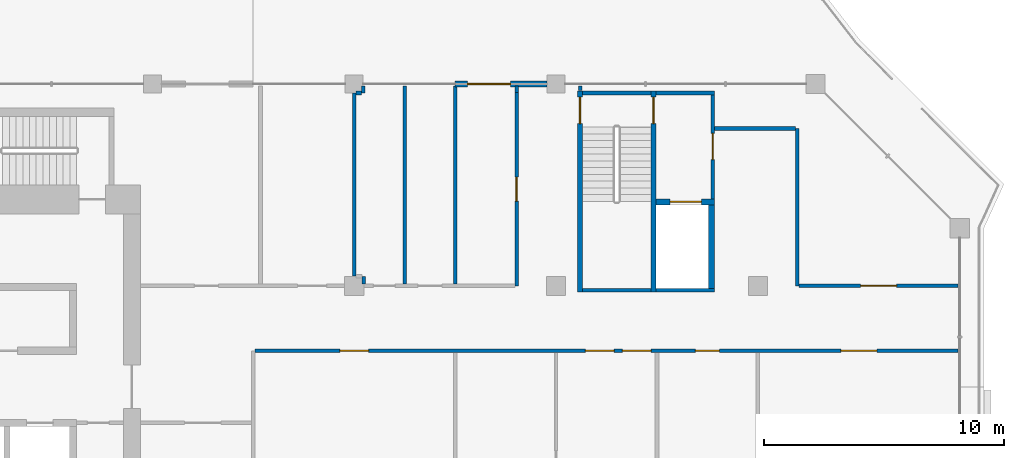
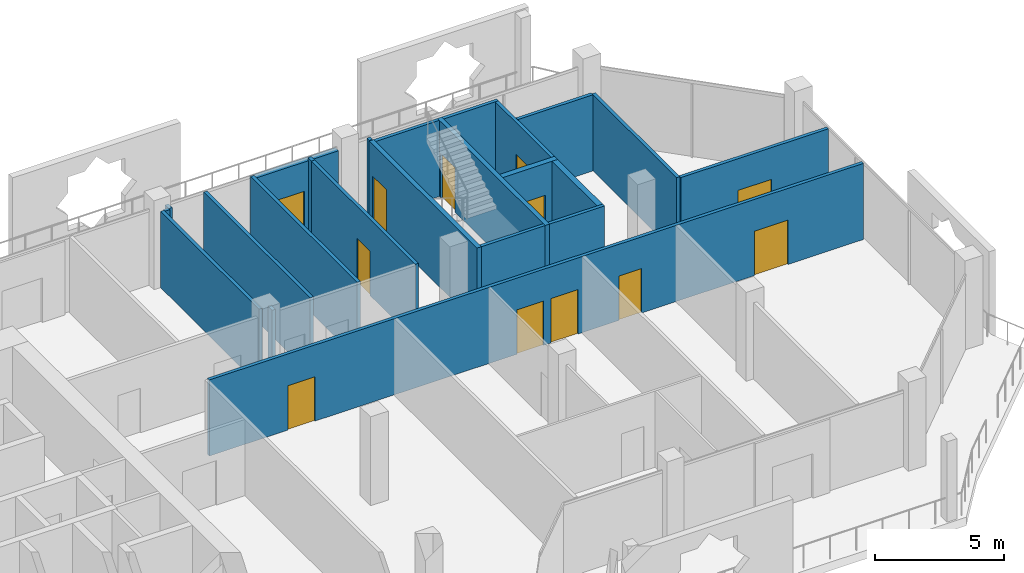
# One storey, part 13 of 20: 23 walls, 12 doors, 12 openings.
"""IFC4 building model written with IfcOpenShell, lengths in metres."""

from ifc_helpers import new_model, si_unit, direction, frame, frame_2d, origin, place, context, subcontext, project, spatial, rectangle, extrude, material, layer, layer_set, type_object, element, fill, save


model = new_model("IFC4")

# Units and contexts
model_context = context("Model", 3, precision=1e-05, world=origin(), true_north=direction((0.0, 1.0)))
body_context = subcontext(model_context, "Body", "Model", "MODEL_VIEW")
ifc_project = project(units=[si_unit("LENGTHUNIT", "METRE"), si_unit("AREAUNIT", "SQUARE_METRE"), si_unit("VOLUMEUNIT", "CUBIC_METRE"), si_unit("PLANEANGLEUNIT", "RADIAN"), si_unit("MASSUNIT", "GRAM", prefix="KILO")], contexts=[model_context])

# Site, building, storey
site_placement = place(None, origin())
site = spatial("IfcSite", under=ifc_project, at=site_placement, CompositionType="ELEMENT")
building_placement = place(site_placement, origin())
building = spatial("IfcBuilding", under=site, at=building_placement, Name="Kawkab Arch Medical Tower", CompositionType="ELEMENT")
storey_placement = place(building_placement, frame((0.0, 0.0, 290.199951171875)))
storey = spatial("IfcBuildingStorey", under=building, at=storey_placement, Name="L67", CompositionType="ELEMENT", Elevation=290.199951171875)

# Wall, opening, door
ifc_material_1 = material(Name="Gypsum board on steel studs", Category="steel")
ifc_layer_1 = layer(ifc_material_1, 0.14990234375)
ifc_layer_set_1 = layer_set([ifc_layer_1], Name="Gypsum board on steel studs")
wall_type_1 = type_object("IfcWallType", Name="Core room partition 150", PredefinedType="PARTITIONING", material=ifc_layer_set_1)
wall_1_placement = place(storey_placement, frame((48.52490234375, -4.77490234375, 0.0), z_axis=(0.0, 0.0, 1.0), x_axis=(0.0, 1.0, 0.0)))
wall_1 = element("IfcWall", 1, at=wall_1_placement, inside=storey, type_object=wall_type_1, Name="L67 core room partition", PredefinedType="PARTITIONING", context=body_context, shape_type="SweptSolid", body=[
    extrude(rectangle(XDim=4.324951171875, YDim=0.14990234375, at=frame_2d((2.16259765625, 0.0))), origin(), (0.0, 0.0, 1.0), 3.60009765625),
])
opening_1_placement = place(wall_1_placement, frame((1.625, 0.0, 0.0)))
opening_1 = element("IfcOpeningElement", 2, at=opening_1_placement, cuts=wall_1, Name="Opening FD", PredefinedType="OPENING", context=body_context, shape_type="SweptSolid", body=[
    extrude(rectangle(XDim=1.10009765625, YDim=2.10009765625, at=frame_2d((0.550048828125, 1.050048828125))), frame((0.0, 0.0849609375, 0.0), z_axis=(0.0, -1.0, 0.0), x_axis=(1.0, 0.0, 0.0)), (0.0, 0.0, 1.0), 0.169921875),
])
ifc_material_2 = material(Name="Hollow metal fire door leaf")
door_type_1 = type_object("IfcDoorType", Name="Firefighting lobby door 1100", OperationType="SINGLE_SWING_LEFT", PredefinedType="DOOR", material=ifc_material_2)
door_1_placement = place(opening_1_placement, origin())
door_1 = element("IfcDoor", 3, at=door_1_placement, inside=storey, type_object=door_type_1, Name="L67 Service lift lobby door SV1", OperationType="SINGLE_SWING_LEFT", OverallHeight=2.10009765625, OverallWidth=1.10009765625, PredefinedType="DOOR", context=body_context, shape_type="SweptSolid", body=[
    extrude(rectangle(XDim=1.10009765625, YDim=2.10009765625, at=frame_2d((0.550048828125, 1.050048828125))), frame((0.0, 0.02490234375, 0.0), z_axis=(0.0, -1.0, 0.0), x_axis=(1.0, 0.0, 0.0)), (0.0, 0.0, 1.0), 0.050048828125),
])
fill(opening_1, door_1)

ifc_material_3 = material(Name="Concrete C60/75", Category="concrete")
ifc_layer_2 = layer(ifc_material_3, 0.25)
ifc_layer_set_2 = layer_set([ifc_layer_2], Name="Concrete C60/75")
wall_type_2 = type_object("IfcWallType", Name="Core shear wall 250 C60/75", PredefinedType="SHEAR", material=ifc_layer_set_2)
wall_2_placement = place(storey_placement, frame((46.14990234375, -4.89990234375, 0.0), z_axis=(0.0, 0.0, 1.0), x_axis=(1.0, 0.0, 0.0)))
wall_2 = element("IfcWall", 4, at=wall_2_placement, inside=storey, type_object=wall_type_2, Name="L67 core shear wall", PredefinedType="SHEAR", context=body_context, shape_type="SweptSolid", body=[
    extrude(rectangle(XDim=2.4501953125, YDim=0.25, at=frame_2d((1.22509765625, 0.0))), origin(), (0.0, 0.0, 1.0), 3.60009765625),
])
opening_2_placement = place(wall_2_placement, frame((0.60009765625, 0.0, 0.0)))
opening_2 = element("IfcOpeningElement", 5, at=opening_2_placement, cuts=wall_2, Name="Opening LD2", PredefinedType="OPENING", context=body_context, shape_type="SweptSolid", body=[
    extrude(rectangle(XDim=1.300048828125, YDim=2.10009765625, at=frame_2d((0.64990234375, 1.050048828125))), frame((0.0, 0.135009765625, 0.0), z_axis=(0.0, -1.0, 0.0), x_axis=(1.0, 0.0, 0.0)), (0.0, 0.0, 1.0), 0.27001953125),
])
ifc_material_4 = material(Name="Stainless steel lift door leaf", Category="steel")
door_type_2 = type_object("IfcDoorType", Name="Lift landing door 1300", OperationType="DOUBLE_DOOR_SLIDING", PredefinedType="DOOR", material=ifc_material_4)
door_2_placement = place(opening_2_placement, origin())
door_2 = element("IfcDoor", 6, at=door_2_placement, inside=storey, type_object=door_type_2, Name="L67 Lift landing door SV1", OperationType="DOUBLE_DOOR_SLIDING", OverallHeight=2.10009765625, OverallWidth=1.300048828125, PredefinedType="DOOR", context=body_context, shape_type="SweptSolid", body=[
    extrude(rectangle(XDim=1.300048828125, YDim=2.10009765625, at=frame_2d((0.64990234375, 1.050048828125))), frame((0.0, 0.02490234375, 0.0), z_axis=(0.0, -1.0, 0.0), x_axis=(1.0, 0.0, 0.0)), (0.0, 0.0, 1.0), 0.050048828125),
])
fill(opening_2, door_2)

# Wall
wall_3_placement = place(storey_placement, frame((48.47509765625, -8.5, 0.0), z_axis=(0.0, 0.0, 1.0), x_axis=(0.0, 1.0, 0.0)))
element("IfcWall", 7, at=wall_3_placement, inside=storey, type_object=wall_type_2, Name="L67 core shear wall", PredefinedType="SHEAR", context=body_context, shape_type="SweptSolid", body=[
    extrude(rectangle(XDim=3.47509765625, YDim=0.25, at=frame_2d((1.737548828125, 0.0))), origin(), (0.0, 0.0, 1.0), 3.60009765625),
])

# Wall, opening, door
ifc_material_5 = material(Name="Bronze clad insulated wall panel")
ifc_layer_3 = layer(ifc_material_5, 0.25)
ifc_layer_set_3 = layer_set([ifc_layer_3], Name="Bronze clad insulated wall panel")
wall_type_3 = type_object("IfcWallType", Name="External wall bay 250", PredefinedType="SOLIDWALL", material=ifc_layer_set_3)
wall_4_placement = place(storey_placement, frame((41.625, 0.0, 0.0), z_axis=(0.0, 0.0, 1.0), x_axis=(-1.0, 0.0, 0.0)))
wall_4 = element("IfcWall", 8, at=wall_4_placement, inside=storey, type_object=wall_type_3, Name="External wall bay L67.R15.2.1", PredefinedType="SOLIDWALL", context=body_context, shape_type="SweptSolid", body=[
    extrude(rectangle(XDim=3.824951171875, YDim=0.25, at=frame_2d((1.91259765625, 0.0))), origin(), (0.0, 0.0, 1.0), 3.47998046875),
])
opening_3_placement = place(wall_4_placement, frame((1.512451171875, 0.0, 0.0)))
opening_3 = element("IfcOpeningElement", 9, at=opening_3_placement, cuts=wall_4, Name="Opening W67-701", PredefinedType="OPENING", context=body_context, shape_type="SweptSolid", body=[
    extrude(rectangle(XDim=1.800048828125, YDim=2.10009765625, at=frame_2d((0.89990234375, 1.050048828125))), frame((0.0, 0.135009765625, 0.0), z_axis=(0.0, -1.0, 0.0), x_axis=(1.0, 0.0, 0.0)), (0.0, 0.0, 1.0), 0.27001953125),
])
ifc_material_6 = material(Name="Bronze anodised aluminium door with tinted glass", Category="aluminium")
door_type_3 = type_object("IfcDoorType", Name="Double external door 1800 x 2100", OperationType="DOUBLE_DOOR_SINGLE_SWING", PredefinedType="DOOR", material=ifc_material_6)
door_3_placement = place(opening_3_placement, origin())
door_3 = element("IfcDoor", 10, at=door_3_placement, inside=storey, type_object=door_type_3, Name="External door L67.R15.2.1", OperationType="DOUBLE_DOOR_SINGLE_SWING", OverallHeight=2.10009765625, OverallWidth=1.800048828125, PredefinedType="DOOR", context=body_context, shape_type="SweptSolid", body=[
    extrude(rectangle(XDim=1.800048828125, YDim=2.10009765625, at=frame_2d((0.89990234375, 1.050048828125))), frame((0.0, 0.02490234375, 0.0), z_axis=(0.0, -1.0, 0.0), x_axis=(1.0, 0.0, 0.0)), (0.0, 0.0, 1.0), 0.050048828125),
])
fill(opening_3, door_3)

# Wall, openings, doors
ifc_material_7 = material(Name="Gypsum board partition on steel studs, mineral wool", Category="steel")
ifc_layer_4 = layer(ifc_material_7, 0.14990234375)
ifc_layer_set_4 = layer_set([ifc_layer_4], Name="Gypsum board partition on steel studs, mineral wool")
wall_type_4 = type_object("IfcWallType", Name="Partition 150", PredefinedType="PARTITIONING", material=ifc_layer_set_4)
wall_5_placement = place(storey_placement, frame((29.47509765625, -11.10009765625, 0.0), z_axis=(0.0, 0.0, 1.0), x_axis=(1.0, 0.0, 0.0)))
wall_5 = element("IfcWall", 11, at=wall_5_placement, inside=storey, type_object=wall_type_4, Name="Partition 150 w011", PredefinedType="PARTITIONING", context=body_context, shape_type="SweptSolid", body=[
    extrude(rectangle(XDim=29.244873046875, YDim=0.14990234375, at=frame_2d((14.62255859375, 0.0))), origin(), (0.0, 0.0, 1.0), 3.60009765625),
])
opening_4_placement = place(wall_5_placement, frame((3.52490234375, 0.0, 0.0)))
opening_4 = element("IfcOpeningElement", 12, at=opening_4_placement, cuts=wall_5, Name="Opening W67-016", PredefinedType="OPENING", context=body_context, shape_type="SweptSolid", body=[
    extrude(rectangle(XDim=1.199951171875, YDim=2.10009765625, at=frame_2d((0.60009765625, 1.050048828125))), frame((0.0, 0.0849609375, 0.0), z_axis=(0.0, -1.0, 0.0), x_axis=(1.0, 0.0, 0.0)), (0.0, 0.0, 1.0), 0.169921875),
])
opening_5_placement = place(wall_5_placement, frame((15.284912109375, 0.0, 0.0)))
opening_5 = element("IfcOpeningElement", 13, at=opening_5_placement, cuts=wall_5, Name="Opening W67-017", PredefinedType="OPENING", context=body_context, shape_type="SweptSolid", body=[
    extrude(rectangle(XDim=1.199951171875, YDim=2.10009765625, at=frame_2d((0.60009765625, 1.050048828125))), frame((0.0, 0.0849609375, 0.0), z_axis=(0.0, -1.0, 0.0), x_axis=(1.0, 0.0, 0.0)), (0.0, 0.0, 1.0), 0.169921875),
])
opening_6_placement = place(wall_5_placement, frame((13.7451171875, 0.0, 0.0)))
opening_6 = element("IfcOpeningElement", 14, at=opening_6_placement, cuts=wall_5, Name="Opening W67-018", PredefinedType="OPENING", context=body_context, shape_type="SweptSolid", body=[
    extrude(rectangle(XDim=1.199951171875, YDim=2.10009765625, at=frame_2d((0.60009765625, 1.050048828125))), frame((0.0, 0.0849609375, 0.0), z_axis=(0.0, -1.0, 0.0), x_axis=(1.0, 0.0, 0.0)), (0.0, 0.0, 1.0), 0.169921875),
])
opening_7_placement = place(wall_5_placement, frame((18.324951171875, 0.0, 0.0)))
opening_7 = element("IfcOpeningElement", 15, at=opening_7_placement, cuts=wall_5, Name="Opening W67-010", PredefinedType="OPENING", context=body_context, shape_type="SweptSolid", body=[
    extrude(rectangle(XDim=1.0, YDim=2.10009765625, at=frame_2d((0.5, 1.050048828125))), frame((0.0, 0.0849609375, 0.0), z_axis=(0.0, -1.0, 0.0), x_axis=(1.0, 0.0, 0.0)), (0.0, 0.0, 1.0), 0.169921875),
])
opening_8_placement = place(wall_5_placement, frame((24.375, 0.0, 0.0)))
opening_8 = element("IfcOpeningElement", 16, at=opening_8_placement, cuts=wall_5, Name="Opening W67-003", PredefinedType="OPENING", context=body_context, shape_type="SweptSolid", body=[
    extrude(rectangle(XDim=1.5, YDim=2.10009765625, at=frame_2d((0.75, 1.050048828125))), frame((0.0, 0.0849609375, 0.0), z_axis=(0.0, -1.0, 0.0), x_axis=(1.0, 0.0, 0.0)), (0.0, 0.0, 1.0), 0.169921875),
])
ifc_material_8 = material(Name="Hollow metal door leaf")
door_type_4 = type_object("IfcDoorType", Name="Double door 1500x2100 FD30S", OperationType="NOTDEFINED", PredefinedType="DOOR", material=ifc_material_8)
door_4_placement = place(opening_8_placement, origin())
door_4 = element("IfcDoor", 17, at=door_4_placement, inside=storey, type_object=door_type_4, Name="Door W67-003", OperationType="DOUBLE_DOOR_SINGLE_SWING", OverallHeight=2.10009765625, OverallWidth=1.5, PredefinedType="DOOR", context=body_context, shape_type="SweptSolid", body=[
    extrude(rectangle(XDim=1.5, YDim=2.10009765625, at=frame_2d((0.75, 1.050048828125))), frame((0.0, 0.02490234375, 0.0), z_axis=(0.0, -1.0, 0.0), x_axis=(1.0, 0.0, 0.0)), (0.0, 0.0, 1.0), 0.050048828125),
])
fill(opening_8, door_4)
ifc_material_9 = material(Name="Hollow metal door leaf")
door_type_5 = type_object("IfcDoorType", Name="Single door 1000x2100 FD30S", OperationType="NOTDEFINED", PredefinedType="DOOR", material=ifc_material_9)
door_5_placement = place(opening_7_placement, origin())
door_5 = element("IfcDoor", 18, at=door_5_placement, inside=storey, type_object=door_type_5, Name="Door W67-010", OperationType="SINGLE_SWING_LEFT", OverallHeight=2.10009765625, OverallWidth=1.0, PredefinedType="DOOR", context=body_context, shape_type="SweptSolid", body=[
    extrude(rectangle(XDim=1.0, YDim=2.10009765625, at=frame_2d((0.5, 1.050048828125))), frame((0.0, 0.02490234375, 0.0), z_axis=(0.0, -1.0, 0.0), x_axis=(1.0, 0.0, 0.0)), (0.0, 0.0, 1.0), 0.050048828125),
])
fill(opening_7, door_5)
ifc_material_10 = material(Name="Hollow metal door leaf")
door_type_6 = type_object("IfcDoorType", Name="Single door 1200x2100 FD30S", OperationType="NOTDEFINED", PredefinedType="DOOR", material=ifc_material_10)
door_6_placement = place(opening_4_placement, origin())
door_6 = element("IfcDoor", 19, at=door_6_placement, inside=storey, type_object=door_type_6, Name="Door W67-016", OperationType="SINGLE_SWING_RIGHT", OverallHeight=2.10009765625, OverallWidth=1.199951171875, PredefinedType="DOOR", context=body_context, shape_type="SweptSolid", body=[
    extrude(rectangle(XDim=1.199951171875, YDim=2.10009765625, at=frame_2d((0.60009765625, 1.050048828125))), frame((0.0, 0.02490234375, 0.0), z_axis=(0.0, -1.0, 0.0), x_axis=(1.0, 0.0, 0.0)), (0.0, 0.0, 1.0), 0.050048828125),
])
fill(opening_4, door_6)
door_7_placement = place(opening_5_placement, origin())
door_7 = element("IfcDoor", 20, at=door_7_placement, inside=storey, type_object=door_type_6, Name="Door W67-017", OperationType="SINGLE_SWING_LEFT", OverallHeight=2.10009765625, OverallWidth=1.199951171875, PredefinedType="DOOR", context=body_context, shape_type="SweptSolid", body=[
    extrude(rectangle(XDim=1.199951171875, YDim=2.10009765625, at=frame_2d((0.60009765625, 1.050048828125))), frame((0.0, 0.02490234375, 0.0), z_axis=(0.0, -1.0, 0.0), x_axis=(1.0, 0.0, 0.0)), (0.0, 0.0, 1.0), 0.050048828125),
])
fill(opening_5, door_7)
door_8_placement = place(opening_6_placement, origin())
door_8 = element("IfcDoor", 21, at=door_8_placement, inside=storey, type_object=door_type_6, Name="Door W67-018", OperationType="SINGLE_SWING_RIGHT", OverallHeight=2.10009765625, OverallWidth=1.199951171875, PredefinedType="DOOR", context=body_context, shape_type="SweptSolid", body=[
    extrude(rectangle(XDim=1.199951171875, YDim=2.10009765625, at=frame_2d((0.60009765625, 1.050048828125))), frame((0.0, 0.02490234375, 0.0), z_axis=(0.0, -1.0, 0.0), x_axis=(1.0, 0.0, 0.0)), (0.0, 0.0, 1.0), 0.050048828125),
])
fill(opening_6, door_8)

# Wall, opening, door
wall_6_placement = place(storey_placement, frame((52.117919921875, -8.39990234375, 0.0), z_axis=(0.0, 0.0, 1.0), x_axis=(1.0, 0.0, 0.0)))
wall_6 = element("IfcWall", 22, at=wall_6_placement, inside=storey, type_object=wall_type_4, Name="Partition 150 w014", PredefinedType="PARTITIONING", context=body_context, shape_type="SweptSolid", body=[
    extrude(rectangle(XDim=6.60205078125, YDim=0.14990234375, at=frame_2d((3.301025390625, 0.0))), origin(), (0.0, 0.0, 1.0), 3.60009765625),
])
opening_9_placement = place(wall_6_placement, frame((2.552978515625, 0.0, 0.0)))
opening_9 = element("IfcOpeningElement", 23, at=opening_9_placement, cuts=wall_6, Name="Opening W67-002", PredefinedType="OPENING", context=body_context, shape_type="SweptSolid", body=[
    extrude(rectangle(XDim=1.5, YDim=2.10009765625, at=frame_2d((0.75, 1.050048828125))), frame((0.0, 0.0849609375, 0.0), z_axis=(0.0, -1.0, 0.0), x_axis=(1.0, 0.0, 0.0)), (0.0, 0.0, 1.0), 0.169921875),
])
door_9_placement = place(opening_9_placement, origin())
door_9 = element("IfcDoor", 24, at=door_9_placement, inside=storey, type_object=door_type_4, Name="Door W67-002", OperationType="DOUBLE_DOOR_SINGLE_SWING", OverallHeight=2.10009765625, OverallWidth=1.5, PredefinedType="DOOR", context=body_context, shape_type="SweptSolid", body=[
    extrude(rectangle(XDim=1.5, YDim=2.10009765625, at=frame_2d((0.75, 1.050048828125))), frame((0.0, 0.02490234375, 0.0), z_axis=(0.0, -1.0, 0.0), x_axis=(1.0, 0.0, 0.0)), (0.0, 0.0, 1.0), 0.050048828125),
])
fill(opening_9, door_9)

# Walls
wall_7_placement = place(storey_placement, frame((48.60009765625, -1.85009765625, 0.0), z_axis=(0.0, 0.0, 1.0), x_axis=(1.0, 0.0, 0.0)))
element("IfcWall", 25, at=wall_7_placement, inside=storey, type_object=wall_type_4, Name="Partition 150 w016", PredefinedType="PARTITIONING", context=body_context, shape_type="SweptSolid", body=[
    extrude(rectangle(XDim=3.365966796875, YDim=0.14990234375, at=frame_2d((1.68310546875, 0.0))), origin(), (0.0, 0.0, 1.0), 3.60009765625),
])
wall_8_placement = place(storey_placement, frame((33.677978515625, -0.375, 0.0), z_axis=(0.0, 0.0, 1.0), x_axis=(1.0, 0.0, 0.0)))
element("IfcWall", 26, at=wall_8_placement, inside=storey, type_object=wall_type_4, Name="Partition 150 w017", PredefinedType="PARTITIONING", context=body_context, shape_type="SweptSolid", body=[
    extrude(rectangle(XDim=0.221923828125, YDim=0.14990234375, at=frame_2d((0.11083984375, 0.0))), origin(), (0.0, 0.0, 1.0), 3.60009765625),
])
wall_9_placement = place(storey_placement, frame((33.60009765625, -7.998046875, 0.0), z_axis=(0.0, 0.0, 1.0), x_axis=(0.0, 1.0, 0.0)))
element("IfcWall", 27, at=wall_9_placement, inside=storey, type_object=wall_type_4, Name="Partition 150 w023", PredefinedType="PARTITIONING", context=body_context, shape_type="SweptSolid", body=[
    extrude(rectangle(XDim=7.6201171875, YDim=0.14990234375, at=frame_2d((3.81005859375, 0.0))), origin(), (0.0, 0.0, 1.0), 3.60009765625),
])
wall_10_placement = place(storey_placement, frame((33.97509765625, -0.375, 0.0), z_axis=(0.0, 0.0, 1.0), x_axis=(0.0, 1.0, 0.0)))
element("IfcWall", 28, at=wall_10_placement, inside=storey, type_object=wall_type_4, Name="Partition 150 w024", PredefinedType="PARTITIONING", context=body_context, shape_type="SweptSolid", body=[
    extrude(rectangle(XDim=0.294921875, YDim=0.14990234375, at=frame_2d((0.1474609375, 0.0))), origin(), (0.0, 0.0, 1.0), 3.60009765625),
])
wall_11_placement = place(storey_placement, frame((34.0, -8.324951171875, 0.0), z_axis=(0.0, 0.0, 1.0), x_axis=(0.0, 1.0, 0.0)))
element("IfcWall", 29, at=wall_11_placement, inside=storey, type_object=wall_type_4, Name="Partition 150 w025", PredefinedType="PARTITIONING", context=body_context, shape_type="SweptSolid", body=[
    extrude(rectangle(XDim=0.324951171875, YDim=0.14990234375, at=frame_2d((0.16259765625, 0.0))), origin(), (0.0, 0.0, 1.0), 3.60009765625),
])
for number, where, z_axis, x_axis, name in (
    (30, (35.699951171875, -8.324951171875, 0.0), (0.0, 0.0, 1.0), (0.0, 1.0, 0.0), "Partition 150 w026"),
    (31, (37.800048828125, -8.324951171875, 0.0), (0.0, 0.0, 1.0), (0.0, 1.0, 0.0), "Partition 150 w028"),
):
    element("IfcWall", number, at=place(storey_placement, frame(where, z_axis=z_axis, x_axis=x_axis)), inside=storey, type_object=wall_type_4, Name=name, PredefinedType="PARTITIONING", context=body_context, shape_type="SweptSolid", body=[
        extrude(rectangle(XDim=8.244873046875, YDim=0.14990234375, at=frame_2d((4.12255859375, 0.0))), origin(), (0.0, 0.0, 1.0), 3.60009765625),
    ])

# Wall, opening, door
wall_12_placement = place(storey_placement, frame((40.35693359375, -8.39990234375, 0.0), z_axis=(0.0, 0.0, 1.0), x_axis=(0.0, 1.0, 0.0)))
wall_12 = element("IfcWall", 32, at=wall_12_placement, inside=storey, type_object=wall_type_4, Name="Partition 150 w029", PredefinedType="PARTITIONING", context=body_context, shape_type="SweptSolid", body=[
    extrude(rectangle(XDim=8.0478515625, YDim=0.14990234375, at=frame_2d((4.02392578125, 0.0))), origin(), (0.0, 0.0, 1.0), 3.60009765625),
])
opening_10_placement = place(wall_12_placement, frame((3.52392578125, 0.0, 0.0)))
opening_10 = element("IfcOpeningElement", 33, at=opening_10_placement, cuts=wall_12, Name="Opening W67-014", PredefinedType="OPENING", context=body_context, shape_type="SweptSolid", body=[
    extrude(rectangle(XDim=1.0, YDim=2.10009765625, at=frame_2d((0.5, 1.050048828125))), frame((0.0, 0.0849609375, 0.0), z_axis=(0.0, -1.0, 0.0), x_axis=(1.0, 0.0, 0.0)), (0.0, 0.0, 1.0), 0.169921875),
])
door_10_placement = place(opening_10_placement, origin())
door_10 = element("IfcDoor", 34, at=door_10_placement, inside=storey, type_object=door_type_5, Name="Door W67-014", OperationType="SINGLE_SWING_RIGHT", OverallHeight=2.10009765625, OverallWidth=1.0, PredefinedType="DOOR", context=body_context, shape_type="SweptSolid", body=[
    extrude(rectangle(XDim=1.0, YDim=2.10009765625, at=frame_2d((0.5, 1.050048828125))), frame((0.0, 0.02490234375, 0.0), z_axis=(0.0, -1.0, 0.0), x_axis=(1.0, 0.0, 0.0)), (0.0, 0.0, 1.0), 0.050048828125),
])
fill(opening_10, door_10)

# Walls
wall_13_placement = place(storey_placement, frame((40.35693359375, -0.35009765625, 0.0), z_axis=(0.0, 0.0, 1.0), x_axis=(0.0, 1.0, 0.0)))
element("IfcWall", 35, at=wall_13_placement, inside=storey, type_object=wall_type_4, Name="Partition 150 w030", PredefinedType="PARTITIONING", context=body_context, shape_type="SweptSolid", body=[
    extrude(rectangle(XDim=0.27001953125, YDim=0.14990234375, at=frame_2d((0.135009765625, 0.0))), origin(), (0.0, 0.0, 1.0), 3.60009765625),
])
wall_14_placement = place(storey_placement, frame((43.0, -0.27001953125, 0.0), z_axis=(0.0, 0.0, 1.0), x_axis=(0.0, 1.0, 0.0)))
element("IfcWall", 36, at=wall_14_placement, inside=storey, type_object=wall_type_4, Name="Partition 150 w031", PredefinedType="PARTITIONING", context=body_context, shape_type="SweptSolid", body=[
    extrude(rectangle(XDim=0.18994140625, YDim=0.14990234375, at=frame_2d((0.094970703125, 0.0))), origin(), (0.0, 0.0, 1.0), 3.60009765625),
])
wall_15_placement = place(storey_placement, frame((52.04296875, -8.39990234375, 0.0), z_axis=(0.0, 0.0, 1.0), x_axis=(0.0, 1.0, 0.0)))
element("IfcWall", 37, at=wall_15_placement, inside=storey, type_object=wall_type_4, Name="Partition 150 w034", PredefinedType="PARTITIONING", context=body_context, shape_type="SweptSolid", body=[
    extrude(rectangle(XDim=6.5478515625, YDim=0.14990234375, at=frame_2d((3.27392578125, 0.0))), origin(), (0.0, 0.0, 1.0), 3.60009765625),
])
ifc_material_11 = material(Name="Concrete C50/60", Category="concrete")
ifc_layer_5 = layer(ifc_material_11, 0.14990234375)
ifc_layer_set_5 = layer_set([ifc_layer_5], Name="Concrete C50/60")
wall_type_5 = type_object("IfcWallType", Name="Stair enclosure wall 150 C50/60", PredefinedType="SHEAR", material=ifc_layer_set_5)
wall_16_placement = place(storey_placement, frame((43.10009765625, -0.375, 0.0), z_axis=(0.0, 0.0, 1.0), x_axis=(1.0, 0.0, 0.0)))
element("IfcWall", 38, at=wall_16_placement, inside=storey, type_object=wall_type_5, Name="L67 stair enclosure wall", PredefinedType="SHEAR", context=body_context, shape_type="SweptSolid", body=[
    extrude(rectangle(XDim=2.849853515625, YDim=0.14990234375, at=frame_2d((1.4248046875, 0.0))), origin(), (0.0, 0.0, 1.0), 3.60009765625),
])
wall_17_placement = place(storey_placement, frame((46.14990234375, -0.375, 0.0), z_axis=(0.0, 0.0, 1.0), x_axis=(1.0, 0.0, 0.0)))
element("IfcWall", 39, at=wall_17_placement, inside=storey, type_object=wall_type_5, Name="L67 stair enclosure wall", PredefinedType="SHEAR", context=body_context, shape_type="SweptSolid", body=[
    extrude(rectangle(XDim=2.4501953125, YDim=0.14990234375, at=frame_2d((1.22509765625, 0.0))), origin(), (0.0, 0.0, 1.0), 3.60009765625),
])
wall_18_placement = place(storey_placement, frame((43.10009765625, -8.574951171875, 0.0), z_axis=(0.0, 0.0, 1.0), x_axis=(1.0, 0.0, 0.0)))
element("IfcWall", 40, at=wall_18_placement, inside=storey, type_object=wall_type_5, Name="L67 stair enclosure wall", PredefinedType="SHEAR", context=body_context, shape_type="SweptSolid", body=[
    extrude(rectangle(XDim=2.849853515625, YDim=0.14990234375, at=frame_2d((1.4248046875, 0.0))), origin(), (0.0, 0.0, 1.0), 3.60009765625),
])
wall_19_placement = place(storey_placement, frame((46.14990234375, -8.574951171875, 0.0), z_axis=(0.0, 0.0, 1.0), x_axis=(1.0, 0.0, 0.0)))
element("IfcWall", 41, at=wall_19_placement, inside=storey, type_object=wall_type_5, Name="L67 stair enclosure wall", PredefinedType="SHEAR", context=body_context, shape_type="SweptSolid", body=[
    extrude(rectangle(XDim=2.4501953125, YDim=0.14990234375, at=frame_2d((1.22509765625, 0.0))), origin(), (0.0, 0.0, 1.0), 3.60009765625),
])

# Wall, opening, door
ifc_material_12 = material(Name="Concrete C50/60", Category="concrete")
ifc_layer_6 = layer(ifc_material_12, 0.199951171875)
ifc_layer_set_6 = layer_set([ifc_layer_6], Name="Concrete C50/60")
wall_type_6 = type_object("IfcWallType", Name="Stair enclosure wall 200 C50/60", PredefinedType="SHEAR", material=ifc_layer_set_6)
wall_20_placement = place(storey_placement, frame((43.0, -8.64990234375, 0.0), z_axis=(0.0, 0.0, 1.0), x_axis=(0.0, 1.0, 0.0)))
wall_20 = element("IfcWall", 42, at=wall_20_placement, inside=storey, type_object=wall_type_6, Name="L67 stair enclosure wall", PredefinedType="SHEAR", context=body_context, shape_type="SweptSolid", body=[
    extrude(rectangle(XDim=8.349853515625, YDim=0.199951171875, at=frame_2d((4.1748046875, 0.0))), origin(), (0.0, 0.0, 1.0), 3.60009765625),
])
opening_11_placement = place(wall_20_placement, frame((7.0, 0.0, 0.0)))
opening_11 = element("IfcOpeningElement", 43, at=opening_11_placement, cuts=wall_20, Name="Opening SD", PredefinedType="OPENING", context=body_context, shape_type="SweptSolid", body=[
    extrude(rectangle(XDim=1.10009765625, YDim=2.10009765625, at=frame_2d((0.550048828125, 1.050048828125))), frame((0.0, 0.10986328125, 0.0), z_axis=(0.0, -1.0, 0.0), x_axis=(1.0, 0.0, 0.0)), (0.0, 0.0, 1.0), 0.219970703125),
])
ifc_material_13 = material(Name="Hollow metal fire door leaf")
door_type_7 = type_object("IfcDoorType", Name="Exit stair door 1100", OperationType="SINGLE_SWING_LEFT", PredefinedType="DOOR", material=ifc_material_13)
door_11_placement = place(opening_11_placement, frame((1.10009765625, 0.0, 0.0), z_axis=(0.0, 0.0, 1.0), x_axis=(-1.0, 0.0, 0.0)))
door_11 = element("IfcDoor", 44, at=door_11_placement, inside=storey, type_object=door_type_7, Name="L67 Exit stair ST5 door", OperationType="SINGLE_SWING_LEFT", OverallHeight=2.10009765625, OverallWidth=1.10009765625, PredefinedType="DOOR", context=body_context, shape_type="SweptSolid", body=[
    extrude(rectangle(XDim=1.10009765625, YDim=2.10009765625, at=frame_2d((0.550048828125, 1.050048828125))), frame((0.0, 0.02490234375, 0.0), z_axis=(0.0, -1.0, 0.0), x_axis=(1.0, 0.0, 0.0)), (0.0, 0.0, 1.0), 0.050048828125),
])
fill(opening_11, door_11)

wall_21_placement = place(storey_placement, frame((46.050048828125, -8.64990234375, 0.0), z_axis=(0.0, 0.0, 1.0), x_axis=(0.0, 1.0, 0.0)))
wall_21 = element("IfcWall", 45, at=wall_21_placement, inside=storey, type_object=wall_type_6, Name="L67 stair enclosure wall", PredefinedType="SHEAR", context=body_context, shape_type="SweptSolid", body=[
    extrude(rectangle(XDim=8.349853515625, YDim=0.199951171875, at=frame_2d((4.1748046875, 0.0))), origin(), (0.0, 0.0, 1.0), 3.60009765625),
])
opening_12_placement = place(wall_21_placement, frame((7.0, 0.0, 0.0)))
opening_12 = element("IfcOpeningElement", 46, at=opening_12_placement, cuts=wall_21, Name="Opening SD", PredefinedType="OPENING", context=body_context, shape_type="SweptSolid", body=[
    extrude(rectangle(XDim=1.10009765625, YDim=2.10009765625, at=frame_2d((0.550048828125, 1.050048828125))), frame((0.0, 0.10986328125, 0.0), z_axis=(0.0, -1.0, 0.0), x_axis=(1.0, 0.0, 0.0)), (0.0, 0.0, 1.0), 0.219970703125),
])
door_12_placement = place(opening_12_placement, origin())
door_12 = element("IfcDoor", 47, at=door_12_placement, inside=storey, type_object=door_type_7, Name="L67 Exit stair ST5 lobby door", OperationType="SINGLE_SWING_LEFT", OverallHeight=2.10009765625, OverallWidth=1.10009765625, PredefinedType="DOOR", context=body_context, shape_type="SweptSolid", body=[
    extrude(rectangle(XDim=1.10009765625, YDim=2.10009765625, at=frame_2d((0.550048828125, 1.050048828125))), frame((0.0, 0.02490234375, 0.0), z_axis=(0.0, -1.0, 0.0), x_axis=(1.0, 0.0, 0.0)), (0.0, 0.0, 1.0), 0.050048828125),
])
fill(opening_12, door_12)

save(model, "model.ifc")
